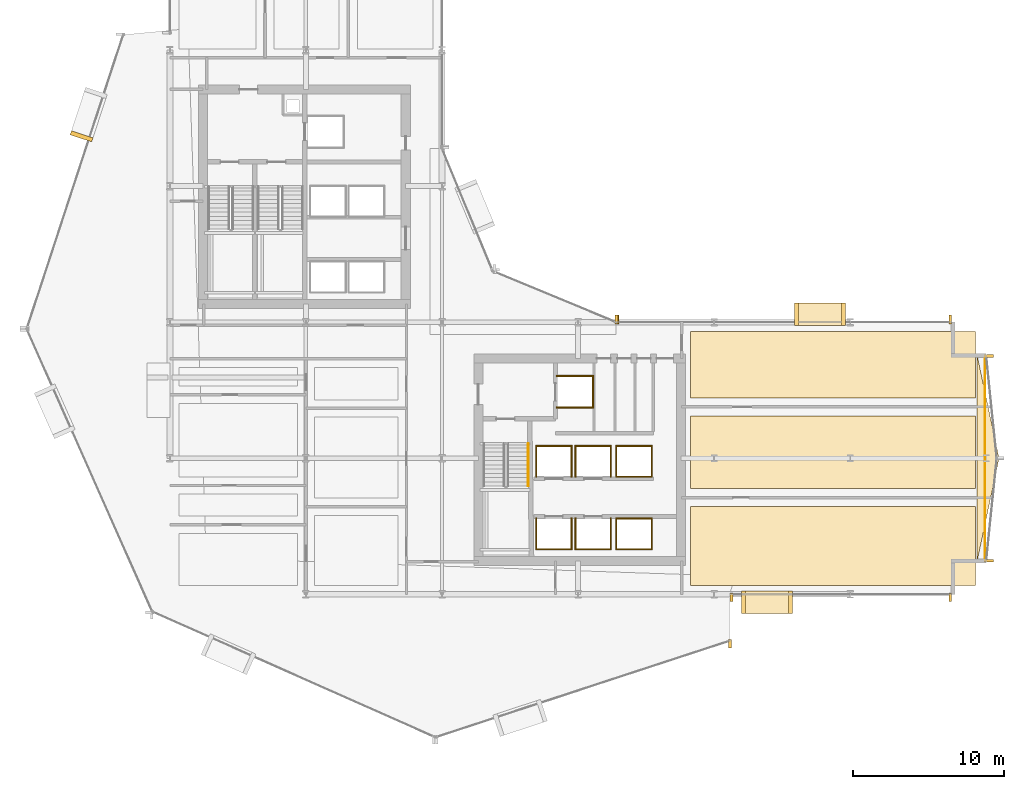
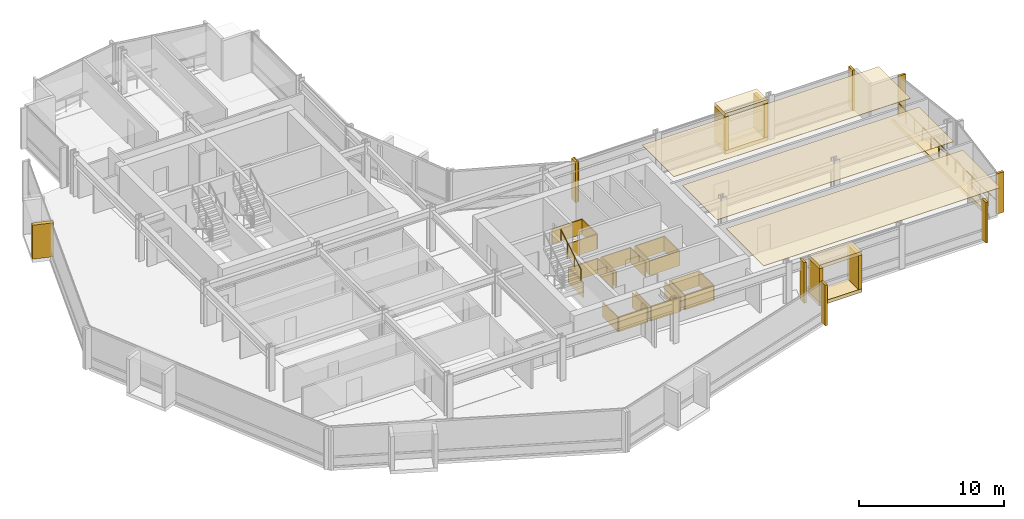
# One storey, part 32 of 34: 44 coverings, 2 railings.
"""IFC4 building model written with IfcOpenShell, lengths in metres."""

from ifc_helpers import new_model, si_unit, direction, frame, origin, origin_2d, place, context, subcontext, project, spatial, polyline, rectangle, circle, outline, extrude, material, layer, layer_set, type_object, element, save


model = new_model("IFC4")

# Units and contexts
model_context = context("Model", 3, precision=1e-05, world=origin(), true_north=direction((0.0, 1.0)))
body_context = subcontext(model_context, "Body", "Model", "MODEL_VIEW")
ifc_project = project(units=[si_unit("LENGTHUNIT", "METRE"), si_unit("AREAUNIT", "SQUARE_METRE"), si_unit("VOLUMEUNIT", "CUBIC_METRE"), si_unit("PLANEANGLEUNIT", "RADIAN"), si_unit("MASSUNIT", "GRAM", prefix="KILO")], contexts=[model_context])

# Site, building, storey
site_placement = place(None, origin())
site = spatial("IfcSite", under=ifc_project, at=site_placement, CompositionType="ELEMENT")
building_placement = place(site_placement, origin())
building = spatial("IfcBuilding", under=site, at=building_placement, Name="Solvaryn Broadcast Tower", CompositionType="ELEMENT")
storey_placement = place(building_placement, frame((0.0, 0.0, 39.699951171875)))
storey = spatial("IfcBuildingStorey", under=building, at=storey_placement, Name="L08", CompositionType="ELEMENT", Elevation=39.699951171875)

# Coverings
ifc_material_1 = material(Name="Micro-Perforated Acoustic Gypsum Ceiling", Category="concrete")
ifc_layer_1 = layer(ifc_material_1, 0.0400390625)
ifc_layer_set_1 = layer_set([ifc_layer_1], Name="CV-CEIL-ACOUSTIC")
covering_type_1 = type_object("IfcCoveringType", Name="CV-CEIL-ACOUSTIC", PredefinedType="CEILING", material=ifc_layer_set_1)
covering_1_placement = place(storey_placement, frame((0.0, 0.0, 3.380126953125)))
element("IfcCovering", 1, at=covering_1_placement, inside=storey, type_object=covering_type_1, Name="L08 Room Acoustic Ceiling 11", PredefinedType="CEILING", context=body_context, shape_type="SweptSolid", body=[
    extrude(outline(polyline([(43.449951171875, 9.60009765625), (62.300048828125, 9.60009765625), (62.300048828125, 14.800048828125), (43.449951171875, 14.800048828125), (43.449951171875, 9.60009765625)])), origin(), (0.0, 0.0, 1.0), 0.0400390625),
])
covering_2_placement = place(storey_placement, frame((0.0, 0.0, 3.380126953125)))
element("IfcCovering", 2, at=covering_2_placement, inside=storey, type_object=covering_type_1, Name="L08 Room Acoustic Ceiling 12", PredefinedType="CEILING", context=body_context, shape_type="SweptSolid", body=[
    extrude(outline(polyline([(43.449951171875, 16.0), (62.300048828125, 16.0), (62.300048828125, 20.800048828125), (43.449951171875, 20.800048828125), (43.449951171875, 16.0)])), origin(), (0.0, 0.0, 1.0), 0.0400390625),
])
covering_3_placement = place(storey_placement, frame((0.0, 0.0, 3.380126953125)))
element("IfcCovering", 3, at=covering_3_placement, inside=storey, type_object=covering_type_1, Name="L08 Room Acoustic Ceiling 13", PredefinedType="CEILING", context=body_context, shape_type="SweptSolid", body=[
    extrude(outline(polyline([(43.449951171875, 22.0), (62.300048828125, 22.0), (62.300048828125, 26.39990234375), (43.449951171875, 26.39990234375), (43.449951171875, 22.0)])), origin(), (0.0, 0.0, 1.0), 0.0400390625),
])
ifc_material_2 = material(Name="Fire-Rated Gypsum Shaftwall Liner", Category="concrete")
ifc_layer_2 = layer(ifc_material_2, 0.080078125)
ifc_layer_set_2 = layer_set([ifc_layer_2], Name="CV-SHAFT-LINER")
covering_type_2 = type_object("IfcCoveringType", Name="CV-SHAFT-LINER", PredefinedType="CLADDING", material=ifc_layer_set_2)
for number, where, z_axis, x_axis, name in (
    (4, (35.800048828125, 23.43994140625, 0.0), (0.0, 0.0, 1.0), (1.0, 0.0, 0.0), "L08 FL2 Hoistway Shaft Liner North"),
    (5, (35.800048828125, 21.360107421875, 0.0), (0.0, 0.0, 1.0), (1.0, 0.0, 0.0), "L08 FL2 Hoistway Shaft Liner South"),
):
    element("IfcCovering", number, at=place(storey_placement, frame(where, z_axis=z_axis, x_axis=x_axis)), inside=storey, type_object=covering_type_2, Name=name, PredefinedType="CLADDING", context=body_context, shape_type="SweptSolid", body=[
        extrude(rectangle(XDim=2.4599609375, YDim=0.080078125, at=origin_2d()), origin(), (0.0, 0.0, 1.0), 1.25),
    ])
covering_4_placement = place(storey_placement, frame((36.989990234375, 22.39990234375, 0.0), z_axis=(0.0, 0.0, 1.0), x_axis=(1.0, 0.0, 0.0)))
element("IfcCovering", 6, at=covering_4_placement, inside=storey, type_object=covering_type_2, Name="L08 FL2 Hoistway Shaft Liner East", PredefinedType="CLADDING", context=body_context, shape_type="SweptSolid", body=[
    extrude(rectangle(XDim=0.080078125, YDim=2.159912109375, at=origin_2d()), origin(), (0.0, 0.0, 1.0), 1.25),
])
covering_5_placement = place(storey_placement, frame((34.39990234375, 11.985107421875, 0.0), z_axis=(0.0, 0.0, 1.0), x_axis=(1.0, 0.0, 0.0)))
element("IfcCovering", 7, at=covering_5_placement, inside=storey, type_object=covering_type_2, Name="L08 PL1 Hoistway Shaft Liner South", PredefinedType="CLADDING", context=body_context, shape_type="SweptSolid", body=[
    extrude(rectangle(XDim=2.409912109375, YDim=0.080078125, at=origin_2d()), origin(), (0.0, 0.0, 1.0), 1.25),
])
for number, where, z_axis, x_axis, name in (
    (8, (35.56494140625, 13.0, 0.0), (0.0, 0.0, 1.0), (1.0, 0.0, 0.0), "L08 PL1 Hoistway Shaft Liner East"),
    (9, (33.235107421875, 13.0, 0.0), (0.0, 0.0, 1.0), (1.0, 0.0, 0.0), "L08 PL1 Hoistway Shaft Liner West"),
):
    element("IfcCovering", number, at=place(storey_placement, frame(where, z_axis=z_axis, x_axis=x_axis)), inside=storey, type_object=covering_type_2, Name=name, PredefinedType="CLADDING", context=body_context, shape_type="SweptSolid", body=[
        extrude(rectangle(XDim=0.080078125, YDim=2.110107421875, at=origin_2d()), origin(), (0.0, 0.0, 1.0), 1.25),
    ])
covering_6_placement = place(storey_placement, frame((37.0, 11.985107421875, 0.0), z_axis=(0.0, 0.0, 1.0), x_axis=(1.0, 0.0, 0.0)))
element("IfcCovering", 10, at=covering_6_placement, inside=storey, type_object=covering_type_2, Name="L08 PL2 Hoistway Shaft Liner South", PredefinedType="CLADDING", context=body_context, shape_type="SweptSolid", body=[
    extrude(rectangle(XDim=2.409912109375, YDim=0.080078125, at=origin_2d()), origin(), (0.0, 0.0, 1.0), 1.25),
])
for number, where, z_axis, x_axis, name in (
    (11, (38.1650390625, 13.0, 0.0), (0.0, 0.0, 1.0), (1.0, 0.0, 0.0), "L08 PL2 Hoistway Shaft Liner East"),
    (12, (35.8349609375, 13.0, 0.0), (0.0, 0.0, 1.0), (1.0, 0.0, 0.0), "L08 PL2 Hoistway Shaft Liner West"),
):
    element("IfcCovering", number, at=place(storey_placement, frame(where, z_axis=z_axis, x_axis=x_axis)), inside=storey, type_object=covering_type_2, Name=name, PredefinedType="CLADDING", context=body_context, shape_type="SweptSolid", body=[
        extrude(rectangle(XDim=0.080078125, YDim=2.110107421875, at=origin_2d()), origin(), (0.0, 0.0, 1.0), 1.25),
    ])
covering_7_placement = place(storey_placement, frame((34.39990234375, 18.81494140625, 0.0), z_axis=(0.0, 0.0, 1.0), x_axis=(1.0, 0.0, 0.0)))
element("IfcCovering", 13, at=covering_7_placement, inside=storey, type_object=covering_type_2, Name="L08 PL3 Hoistway Shaft Liner North", PredefinedType="CLADDING", context=body_context, shape_type="SweptSolid", body=[
    extrude(rectangle(XDim=2.409912109375, YDim=0.080078125, at=origin_2d()), origin(), (0.0, 0.0, 1.0), 1.25),
])
for number, where, z_axis, x_axis, name in (
    (14, (35.56494140625, 17.800048828125, 0.0), (0.0, 0.0, 1.0), (1.0, 0.0, 0.0), "L08 PL3 Hoistway Shaft Liner East"),
    (15, (33.235107421875, 17.800048828125, 0.0), (0.0, 0.0, 1.0), (1.0, 0.0, 0.0), "L08 PL3 Hoistway Shaft Liner West"),
):
    element("IfcCovering", number, at=place(storey_placement, frame(where, z_axis=z_axis, x_axis=x_axis)), inside=storey, type_object=covering_type_2, Name=name, PredefinedType="CLADDING", context=body_context, shape_type="SweptSolid", body=[
        extrude(rectangle(XDim=0.080078125, YDim=2.110107421875, at=origin_2d()), origin(), (0.0, 0.0, 1.0), 1.25),
    ])
covering_8_placement = place(storey_placement, frame((37.0, 18.81494140625, 0.0), z_axis=(0.0, 0.0, 1.0), x_axis=(1.0, 0.0, 0.0)))
element("IfcCovering", 16, at=covering_8_placement, inside=storey, type_object=covering_type_2, Name="L08 PL4 Hoistway Shaft Liner North", PredefinedType="CLADDING", context=body_context, shape_type="SweptSolid", body=[
    extrude(rectangle(XDim=2.409912109375, YDim=0.080078125, at=origin_2d()), origin(), (0.0, 0.0, 1.0), 1.25),
])
for number, where, z_axis, x_axis, name in (
    (17, (38.1650390625, 17.800048828125, 0.0), (0.0, 0.0, 1.0), (1.0, 0.0, 0.0), "L08 PL4 Hoistway Shaft Liner East"),
    (18, (35.8349609375, 17.800048828125, 0.0), (0.0, 0.0, 1.0), (1.0, 0.0, 0.0), "L08 PL4 Hoistway Shaft Liner West"),
):
    element("IfcCovering", number, at=place(storey_placement, frame(where, z_axis=z_axis, x_axis=x_axis)), inside=storey, type_object=covering_type_2, Name=name, PredefinedType="CLADDING", context=body_context, shape_type="SweptSolid", body=[
        extrude(rectangle(XDim=0.080078125, YDim=2.110107421875, at=origin_2d()), origin(), (0.0, 0.0, 1.0), 1.25),
    ])
for number, where, z_axis, x_axis, name in (
    (19, (39.699951171875, 14.014892578125, 0.0), (0.0, 0.0, 1.0), (1.0, 0.0, 0.0), "L08 PM1 Hoistway Shaft Liner North"),
    (20, (39.699951171875, 11.985107421875, 0.0), (0.0, 0.0, 1.0), (1.0, 0.0, 0.0), "L08 PM1 Hoistway Shaft Liner South"),
):
    element("IfcCovering", number, at=place(storey_placement, frame(where, z_axis=z_axis, x_axis=x_axis)), inside=storey, type_object=covering_type_2, Name=name, PredefinedType="CLADDING", context=body_context, shape_type="SweptSolid", body=[
        extrude(rectangle(XDim=2.409912109375, YDim=0.080078125, at=origin_2d()), origin(), (0.0, 0.0, 1.0), 1.25),
    ])
for number, where, z_axis, x_axis, name in (
    (21, (40.864990234375, 13.0, 0.0), (0.0, 0.0, 1.0), (1.0, 0.0, 0.0), "L08 PM1 Hoistway Shaft Liner East"),
    (22, (38.534912109375, 13.0, 0.0), (0.0, 0.0, 1.0), (1.0, 0.0, 0.0), "L08 PM1 Hoistway Shaft Liner West"),
):
    element("IfcCovering", number, at=place(storey_placement, frame(where, z_axis=z_axis, x_axis=x_axis)), inside=storey, type_object=covering_type_2, Name=name, PredefinedType="CLADDING", context=body_context, shape_type="SweptSolid", body=[
        extrude(rectangle(XDim=0.080078125, YDim=2.110107421875, at=origin_2d()), origin(), (0.0, 0.0, 1.0), 1.25),
    ])
for number, where, z_axis, x_axis, name in (
    (23, (39.699951171875, 18.81494140625, 0.0), (0.0, 0.0, 1.0), (1.0, 0.0, 0.0), "L08 PM2 Hoistway Shaft Liner North"),
    (24, (39.699951171875, 16.784912109375, 0.0), (0.0, 0.0, 1.0), (1.0, 0.0, 0.0), "L08 PM2 Hoistway Shaft Liner South"),
):
    element("IfcCovering", number, at=place(storey_placement, frame(where, z_axis=z_axis, x_axis=x_axis)), inside=storey, type_object=covering_type_2, Name=name, PredefinedType="CLADDING", context=body_context, shape_type="SweptSolid", body=[
        extrude(rectangle(XDim=2.409912109375, YDim=0.080078125, at=origin_2d()), origin(), (0.0, 0.0, 1.0), 1.25),
    ])
for number, where, z_axis, x_axis, name in (
    (25, (40.864990234375, 17.800048828125, 0.0), (0.0, 0.0, 1.0), (1.0, 0.0, 0.0), "L08 PM2 Hoistway Shaft Liner East"),
    (26, (38.534912109375, 17.800048828125, 0.0), (0.0, 0.0, 1.0), (1.0, 0.0, 0.0), "L08 PM2 Hoistway Shaft Liner West"),
):
    element("IfcCovering", number, at=place(storey_placement, frame(where, z_axis=z_axis, x_axis=x_axis)), inside=storey, type_object=covering_type_2, Name=name, PredefinedType="CLADDING", context=body_context, shape_type="SweptSolid", body=[
        extrude(rectangle(XDim=0.080078125, YDim=2.110107421875, at=origin_2d()), origin(), (0.0, 0.0, 1.0), 1.25),
    ])
ifc_material_3 = material(Name="Glazed Architectural Terracotta Rainscreen Cladding", Category="masonry")
ifc_layer_3 = layer(ifc_material_3, 0.280029296875)
ifc_layer_set_3 = layer_set([ifc_layer_3], Name="CV-TC-CLAD")
covering_type_3 = type_object("IfcCoveringType", Name="CV-TC-CLAD", PredefinedType="CLADDING", material=ifc_layer_set_3)
covering_9_placement = place(storey_placement, frame((3.155517578125, 39.298095703125, 0.27978515625), z_axis=(0.0, 0.0, 1.0), x_axis=(-0.311671636848, -0.950189870912, 0.0)))
element("IfcCovering", 27, at=covering_9_placement, inside=storey, type_object=covering_type_3, Name="L08 Projecting Stone Window Box Cheek 1-2", PredefinedType="CLADDING", context=body_context, shape_type="SweptSolid", body=[
    extrude(rectangle(XDim=0.280029296875, YDim=1.5, at=origin_2d()), origin(), (0.0, 0.0, 1.0), 2.860107421875),
])
for number, where, z_axis, x_axis, name in (
    (28, (48.5, 8.469970703125, 3.1298828125), (0.0, 0.0, 1.0), (1.0, 0.0, 0.0), "L08 Projecting Stone Window Box Hood 6"),
    (29, (48.5, 8.469970703125, -0.009765625), (0.0, 0.0, 1.0), (1.0, 0.0, 0.0), "L08 Projecting Stone Window Box Sill 6"),
):
    element("IfcCovering", number, at=place(storey_placement, frame(where, z_axis=z_axis, x_axis=x_axis)), inside=storey, type_object=covering_type_3, Name=name, PredefinedType="CLADDING", context=body_context, shape_type="SweptSolid", body=[
        extrude(rectangle(XDim=3.39990234375, YDim=1.5, at=origin_2d()), origin(), (0.0, 0.0, 1.0), 0.300048828125),
    ])
for number, where, z_axis, x_axis, name in (
    (30, (46.93994140625, 8.469970703125, 0.27978515625), (0.0, 0.0, 1.0), (1.0, 0.0, 0.0), "L08 Projecting Stone Window Box Cheek 6-1"),
    (31, (50.06005859375, 8.469970703125, 0.27978515625), (0.0, 0.0, 1.0), (1.0, 0.0, 0.0), "L08 Projecting Stone Window Box Cheek 6-2"),
):
    element("IfcCovering", number, at=place(storey_placement, frame(where, z_axis=z_axis, x_axis=x_axis)), inside=storey, type_object=covering_type_3, Name=name, PredefinedType="CLADDING", context=body_context, shape_type="SweptSolid", body=[
        extrude(rectangle(XDim=0.280029296875, YDim=1.5, at=origin_2d()), origin(), (0.0, 0.0, 1.0), 2.860107421875),
    ])
for number, where, z_axis, x_axis, name in (
    (32, (52.0, 27.530029296875, 3.1298828125), (0.0, 0.0, 1.0), (1.0, 0.0, 0.0), "L08 Projecting Stone Window Box Hood 7"),
    (33, (52.0, 27.530029296875, -0.009765625), (0.0, 0.0, 1.0), (1.0, 0.0, 0.0), "L08 Projecting Stone Window Box Sill 7"),
):
    element("IfcCovering", number, at=place(storey_placement, frame(where, z_axis=z_axis, x_axis=x_axis)), inside=storey, type_object=covering_type_3, Name=name, PredefinedType="CLADDING", context=body_context, shape_type="SweptSolid", body=[
        extrude(rectangle(XDim=3.39990234375, YDim=1.5, at=origin_2d()), origin(), (0.0, 0.0, 1.0), 0.300048828125),
    ])
for number, where, z_axis, x_axis, name in (
    (34, (50.43994140625, 27.530029296875, 0.27978515625), (0.0, 0.0, 1.0), (1.0, 0.0, 0.0), "L08 Projecting Stone Window Box Cheek 7-1"),
    (35, (53.56005859375, 27.530029296875, 0.27978515625), (0.0, 0.0, 1.0), (1.0, 0.0, 0.0), "L08 Projecting Stone Window Box Cheek 7-2"),
):
    element("IfcCovering", number, at=place(storey_placement, frame(where, z_axis=z_axis, x_axis=x_axis)), inside=storey, type_object=covering_type_3, Name=name, PredefinedType="CLADDING", context=body_context, shape_type="SweptSolid", body=[
        extrude(rectangle(XDim=0.280029296875, YDim=1.5, at=origin_2d()), origin(), (0.0, 0.0, 1.0), 2.860107421875),
    ])
ifc_material_4 = material(Name="Extruded Architectural Terracotta Fin", Category="masonry")
ifc_layer_4 = layer(ifc_material_4, 0.179931640625)
ifc_layer_set_4 = layer_set([ifc_layer_4], Name="CV-TC-FIN")
covering_type_4 = type_object("IfcCoveringType", Name="CV-TC-FIN", PredefinedType="USERDEFINED", material=ifc_layer_set_4)
for number, where, z_axis, x_axis, name in (
    (36, (46.043701171875, 5.735595703125, 0.0), (0.0, 0.0, 1.0), (1.0, 0.0, 0.0), "L08 Terracotta Vertical Fin FIN-L08-DR4-M01"),
    (37, (38.541259765625, 27.177978515625, 0.0), (0.0, 0.0, 1.0), (1.0, 0.0, 0.0), "L08 Terracotta Vertical Fin FIN-L08-CN1-M00"),
    (38, (46.14599609375, 8.8125, 0.0), (0.0, 0.0, 1.0), (1.0, 0.0, 0.0), "L08 Terracotta Vertical Fin FIN-L08-S2-M00"),
    (39, (60.6201171875, 8.8125, 0.0), (0.0, 0.0, 1.0), (1.0, 0.0, 0.0), "L08 Terracotta Vertical Fin FIN-L08-S2-M01"),
):
    element("IfcCovering", number, at=place(storey_placement, frame(where, z_axis=z_axis, x_axis=x_axis)), inside=storey, type_object=covering_type_4, Name=name, ObjectType="FIN", PredefinedType="USERDEFINED", context=body_context, shape_type="SweptSolid", body=[
        extrude(rectangle(XDim=0.179931640625, YDim=0.580078125, at=origin_2d()), origin(), (0.0, 0.0, 1.0), 3.419921875),
    ])
for number, where, z_axis, x_axis, name in (
    (40, (63.190673828125, 24.770263671875, 0.0), (0.0, 0.0, 1.0), (1.0, 0.0, 0.0), "L08 Terracotta Vertical Fin FIN-L08-ET1-M00"),
    (41, (63.190673828125, 11.229736328125, 0.0), (0.0, 0.0, 1.0), (1.0, 0.0, 0.0), "L08 Terracotta Vertical Fin FIN-L08-ET2-M01"),
):
    element("IfcCovering", number, at=place(storey_placement, frame(where, z_axis=z_axis, x_axis=x_axis)), inside=storey, type_object=covering_type_4, Name=name, ObjectType="FIN", PredefinedType="USERDEFINED", context=body_context, shape_type="SweptSolid", body=[
        extrude(rectangle(XDim=0.580078125, YDim=0.179931640625, at=origin_2d()), origin(), (0.0, 0.0, 1.0), 3.419921875),
    ])
for number, where, z_axis, x_axis, name in (
    (42, (38.6298828125, 27.1875, 0.0), (0.0, 0.0, 1.0), (1.0, 0.0, 0.0), "L08 Terracotta Vertical Fin FIN-L08-IH-M00"),
    (43, (60.6201171875, 27.1875, 0.0), (0.0, 0.0, 1.0), (1.0, 0.0, 0.0), "L08 Terracotta Vertical Fin FIN-L08-IH-M01"),
):
    element("IfcCovering", number, at=place(storey_placement, frame(where, z_axis=z_axis, x_axis=x_axis)), inside=storey, type_object=covering_type_4, Name=name, ObjectType="FIN", PredefinedType="USERDEFINED", context=body_context, shape_type="SweptSolid", body=[
        extrude(rectangle(XDim=0.179931640625, YDim=0.580078125, at=origin_2d()), origin(), (0.0, 0.0, 1.0), 3.419921875),
    ])
ifc_material_5 = material(Name="Sculpted Architectural Terracotta Wave Fascia", Category="masonry")
ifc_layer_5 = layer(ifc_material_5, 0.340087890625)
ifc_layer_set_5 = layer_set([ifc_layer_5], Name="CV-WAVE-TRAY")
covering_type_5 = type_object("IfcCoveringType", Name="CV-WAVE-TRAY", PredefinedType="CLADDING", material=ifc_layer_set_5)
covering_10_placement = place(storey_placement, frame((0.0, 0.0, -0.300048828125)))
element("IfcCovering", 44, at=covering_10_placement, inside=storey, type_object=covering_type_5, Name="L08 East Curved Wing Deck", PredefinedType="CLADDING", context=body_context, shape_type="SweptSolid", body=[
    extrude(outline(polyline([(62.39990234375, 11.199951171875), (63.85009765625, 18.0), (62.39990234375, 24.800048828125), (62.39990234375, 11.199951171875)])), origin(), (0.0, 0.0, 1.0), 0.330078125),
])

# Railings
ifc_material_6 = material(Name="Brushed Stainless Steel Tubular Handrail", Category="steel")
railing_type_1 = type_object("IfcRailingType", Name="RL-STAIR-HANDRAIL", PredefinedType="HANDRAIL", material=ifc_material_6)
railing_1_placement = place(storey_placement, frame((32.699951171875, 16.159912109375, 2.018310546875)))
element("IfcRailing", 45, at=railing_1_placement, inside=storey, type_object=railing_type_1, Name="L08 ST3 stair handrail 2", PredefinedType="HANDRAIL", context=body_context, shape_type="SweptSolid", body=[
    extrude(circle(Radius=0.02392578125, at=origin_2d()), frame((0.0, 0.0, 0.8759765625), z_axis=(0.0, 0.857275202839, 0.514858452973), x_axis=(-1.0, 0.0, 0.0)), (0.0, 0.0, 1.0), 3.26611328125),
    extrude(circle(Radius=0.02099609375, at=origin_2d()), origin(), (0.0, 0.0, 1.0), 0.851806640625),
    extrude(circle(Radius=0.02099609375, at=origin_2d()), frame((0.0, 0.933349609375, 0.560546875)), (0.0, 0.0, 1.0), 0.851806640625),
    extrude(circle(Radius=0.02099609375, at=origin_2d()), frame((0.0, 1.86669921875, 1.12109375)), (0.0, 0.0, 1.0), 0.851806640625),
    extrude(circle(Radius=0.02099609375, at=origin_2d()), frame((0.0, 2.800048828125, 1.681640625)), (0.0, 0.0, 1.0), 0.851806640625),
])
ifc_material_7 = material(Name="Stainless Steel and Laminated Glass Guard", Category="steel")
railing_type_2 = type_object("IfcRailingType", Name="RL-TER-1150", PredefinedType="BALUSTRADE", material=ifc_material_7)
railing_2_placement = place(storey_placement, frame((62.919921875, 11.199951171875, 0.0)))
element("IfcRailing", 46, at=railing_2_placement, inside=storey, type_object=railing_type_2, Name="L08 East Wing Spandrel Edge Guard", PredefinedType="BALUSTRADE", context=body_context, shape_type="SweptSolid", body=[
    extrude(circle(Radius=0.02392578125, at=origin_2d()), frame((0.0, 0.0, 1.1259765625), z_axis=(0.0, 1.0, 0.0), x_axis=(-1.0, 0.0, 0.0)), (0.0, 0.0, 1.0), 13.60009765625),
    extrude(circle(Radius=0.02099609375, at=origin_2d()), origin(), (0.0, 0.0, 1.0), 1.101806640625),
    extrude(circle(Radius=0.02099609375, at=origin_2d()), frame((0.0, 1.13330078125, 0.0)), (0.0, 0.0, 1.0), 1.101806640625),
    extrude(circle(Radius=0.02099609375, at=origin_2d()), frame((0.0, 2.2666015625, 0.0)), (0.0, 0.0, 1.0), 1.101806640625),
    extrude(circle(Radius=0.02099609375, at=origin_2d()), frame((0.0, 3.39990234375, 0.0)), (0.0, 0.0, 1.0), 1.101806640625),
    extrude(circle(Radius=0.02099609375, at=origin_2d()), frame((0.0, 4.533447265625, 0.0)), (0.0, 0.0, 1.0), 1.101806640625),
    extrude(circle(Radius=0.02099609375, at=origin_2d()), frame((0.0, 5.666748046875, 0.0)), (0.0, 0.0, 1.0), 1.101806640625),
    extrude(circle(Radius=0.02099609375, at=origin_2d()), frame((0.0, 6.800048828125, 0.0)), (0.0, 0.0, 1.0), 1.101806640625),
    extrude(circle(Radius=0.02099609375, at=origin_2d()), frame((0.0, 7.933349609375, 0.0)), (0.0, 0.0, 1.0), 1.101806640625),
    extrude(circle(Radius=0.02099609375, at=origin_2d()), frame((0.0, 9.066650390625, 0.0)), (0.0, 0.0, 1.0), 1.101806640625),
    extrude(circle(Radius=0.02099609375, at=origin_2d()), frame((0.0, 10.2001953125, 0.0)), (0.0, 0.0, 1.0), 1.101806640625),
    extrude(circle(Radius=0.02099609375, at=origin_2d()), frame((0.0, 11.33349609375, 0.0)), (0.0, 0.0, 1.0), 1.101806640625),
    extrude(circle(Radius=0.02099609375, at=origin_2d()), frame((0.0, 12.466796875, 0.0)), (0.0, 0.0, 1.0), 1.101806640625),
    extrude(circle(Radius=0.02099609375, at=origin_2d()), frame((0.0, 13.60009765625, 0.0)), (0.0, 0.0, 1.0), 1.101806640625),
])

save(model, "model.ifc")
